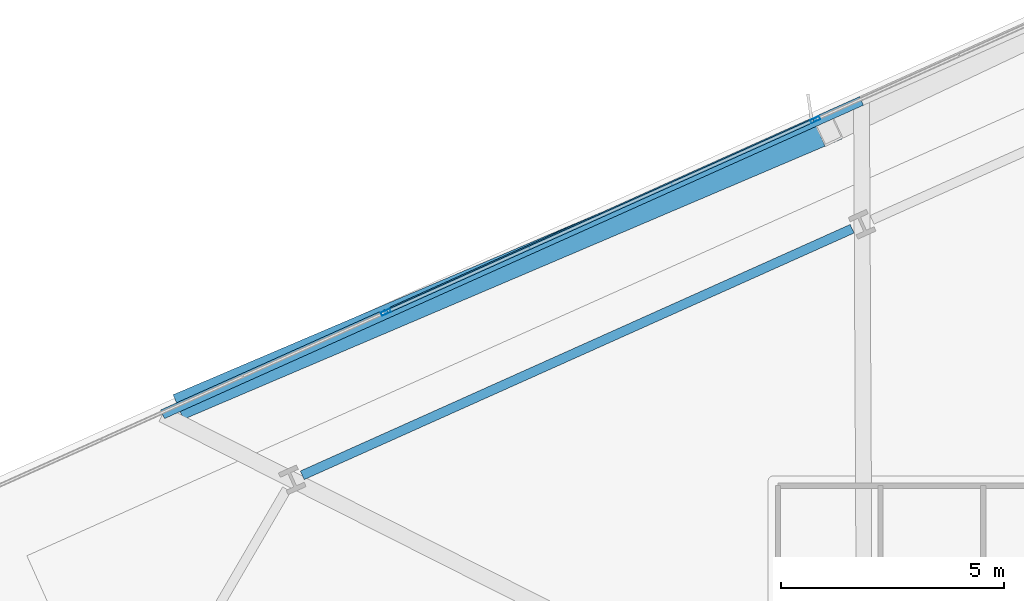
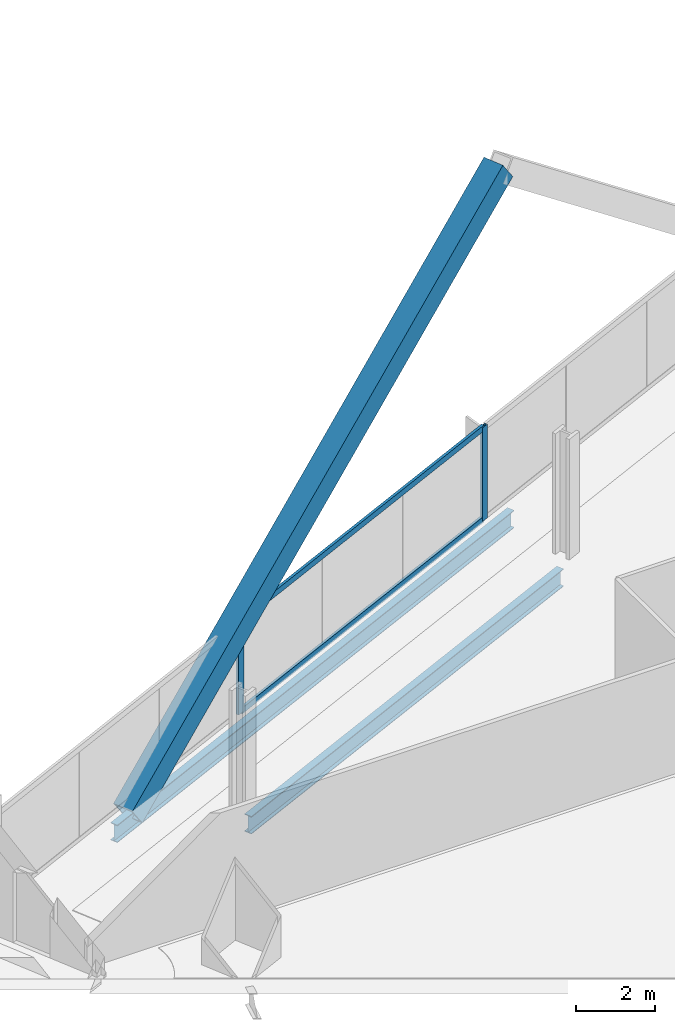
# One storey, part 18 of 38: 5 members, 2 beams, 1 element without a shape of its own.
"""IFC4 building model written with IfcOpenShell, lengths in metres."""

from ifc_helpers import new_model, si_unit, direction, frame, origin, origin_2d, place, context, subcontext, project, spatial, hollow_rectangle, i_section, extrude, material, material_profile, profile_set, type_object, element, aggregate, save


model = new_model("IFC4")

# Units and contexts
model_context = context("Model", 3, precision=1e-05, world=origin(), true_north=direction((0.0, 1.0)))
body_context = subcontext(model_context, "Body", "Model", "MODEL_VIEW")
ifc_project = project(units=[si_unit("LENGTHUNIT", "METRE"), si_unit("AREAUNIT", "SQUARE_METRE"), si_unit("VOLUMEUNIT", "CUBIC_METRE"), si_unit("PLANEANGLEUNIT", "RADIAN"), si_unit("MASSUNIT", "GRAM", prefix="KILO")], contexts=[model_context])

# Site, building, storey
site_placement = place(None, origin())
site = spatial("IfcSite", under=ifc_project, at=site_placement, CompositionType="ELEMENT")
building_placement = place(site_placement, origin())
building = spatial("IfcBuilding", under=site, at=building_placement, Name="Haldenkirk Collegiate Tower", CompositionType="ELEMENT")
storey_placement = place(building_placement, frame((0.0, 0.0, 109.199951171875)))
storey = spatial("IfcBuildingStorey", under=building, at=storey_placement, Name="L26", CompositionType="ELEMENT", Elevation=109.199951171875)

# Beams
ifc_material_1 = material(Name="Steel ASTM A992 Grade 50", Category="steel")
ifc_material_profile_1 = material_profile(ifc_material_1, i_section(OverallWidth=0.2119140625, OverallDepth=0.5439453125, WebThickness=0.01318359375, FlangeThickness=0.021240234375, at=origin_2d()), Name="W21X83")
ifc_profile_set_1 = profile_set([ifc_material_profile_1], Name="Steel ASTM A992 Grade 50")
beam_type = type_object("IfcBeamType", Name="BM-SPANDREL-W21X83", PredefinedType="SPANDREL", material=ifc_profile_set_1)
beam_1_placement = place(storey_placement, frame((26.7138671875, 46.111083984375, -0.572021484375), z_axis=(-0.912476765144, -0.409128528793, 0.0), x_axis=(0.409128528793, -0.912476765144, 0.0)))
element("IfcBeam", 1, at=beam_1_placement, inside=storey, type_object=beam_type, Name="L26 perimeter spandrel beam 11", PredefinedType="SPANDREL", context=body_context, shape_type="SweptSolid", body=[
    extrude(i_section(OverallWidth=0.2119140625, OverallDepth=0.5439453125, WebThickness=0.01318359375, FlangeThickness=0.021240234375, at=origin_2d()), origin(), (0.0, 0.0, 1.0), 13.512939453125),
])
beam_2_placement = place(storey_placement, frame((26.923583984375, 48.977783203125, -0.572021484375), z_axis=(-0.912477305698, -0.409127323196, 0.0), x_axis=(0.409127323196, -0.912477305698, 0.0)))
element("IfcBeam", 2, at=beam_2_placement, inside=storey, type_object=beam_type, Name="L26 outer facade edge beam 3B", PredefinedType="SPANDREL", context=body_context, shape_type="SweptSolid", body=[
    extrude(i_section(OverallWidth=0.2119140625, OverallDepth=0.5439453125, WebThickness=0.01318359375, FlangeThickness=0.021240234375, at=origin_2d()), origin(), (0.0, 0.0, 1.0), 17.176513671875),
])

# Curtain wall, members
ifc_material_2 = material(Name="Anodised architectural bronze aluminium", Category="aluminium")
curtain_wall_type = type_object("IfcCurtainWallType", Name="CW-SYS1-CONVEX-LOW", PredefinedType="USERDEFINED", material=ifc_material_2)
curtain_wall_placement = place(storey_placement, origin())
curtain_wall = element("IfcCurtainWall", 3, at=curtain_wall_placement, inside=storey, type_object=curtain_wall_type, Name="L26 Lower tower convex bronze-framed unitised curtain wall", ObjectType="UNITISED CURTAIN WALL", PredefinedType="USERDEFINED")
ifc_material_profile_2 = material_profile(ifc_material_2, hollow_rectangle(XDim=0.080078125, YDim=0.219970703125, WallThickness=0.0048828125, at=origin_2d()), Name="CW-MUL-1A")
ifc_profile_set_2 = profile_set([ifc_material_profile_2], Name="Anodised architectural bronze aluminium")
member_type_1 = type_object("IfcMemberType", Name="CW-MUL-1A", PredefinedType="MULLION", material=ifc_profile_set_2)
member_1_placement = place(storey_placement, frame((16.259765625, 44.240234375, 0.0), z_axis=(0.0, 0.0, 1.0), x_axis=(-0.409127344707, 0.912477296053, 0.0)))
member_1 = element("IfcMember", 4, at=member_1_placement, type_object=member_type_1, Name="CW-1A mullion 2", PredefinedType="MULLION", context=body_context, shape_type="SweptSolid", body=[
    extrude(hollow_rectangle(XDim=0.080078125, YDim=0.219970703125, WallThickness=0.0048828125, at=origin_2d()), origin(), (0.0, 0.0, 1.0), 2.901123046875),
])
member_2_placement = place(storey_placement, frame((25.88623046875, 48.556396484375, 0.0), z_axis=(0.0, 0.0, 1.0), x_axis=(-0.409127344707, 0.912477296053, 0.0)))
member_2 = element("IfcMember", 5, at=member_2_placement, type_object=member_type_1, Name="CW-1A mullion 3", PredefinedType="MULLION", context=body_context, shape_type="SweptSolid", body=[
    extrude(hollow_rectangle(XDim=0.080078125, YDim=0.219970703125, WallThickness=0.0048828125, at=origin_2d()), origin(), (0.0, 0.0, 1.0), 2.901123046875),
])
ifc_material_profile_3 = material_profile(ifc_material_2, hollow_rectangle(XDim=0.080078125, YDim=0.179931640625, WallThickness=0.0048828125, at=origin_2d()), Name="CW-TRN-1A")
ifc_profile_set_3 = profile_set([ifc_material_profile_3], Name="Anodised architectural bronze aluminium")
member_type_2 = type_object("IfcMemberType", Name="CW-TRN-1A", PredefinedType="USERDEFINED", material=ifc_profile_set_3)
member_3_placement = place(storey_placement, frame((16.296142578125, 44.256591796875, 0.0400390625), z_axis=(0.912482610684, 0.409115491272, 0.0), x_axis=(-0.409115491272, 0.912482610684, 0.0)))
member_3 = element("IfcMember", 6, at=member_3_placement, type_object=member_type_2, Name="CW-1A transom 2.1", ObjectType="TRANSOM", PredefinedType="USERDEFINED", context=body_context, shape_type="SweptSolid", body=[
    extrude(hollow_rectangle(XDim=0.080078125, YDim=0.179931640625, WallThickness=0.0048828125, at=origin_2d()), origin(), (0.0, 0.0, 1.0), 10.469970703125),
])
member_4_placement = place(storey_placement, frame((16.296142578125, 44.256591796875, 2.861083984375), z_axis=(0.912482610684, 0.409115491272, 0.0), x_axis=(-0.409115491272, 0.912482610684, 0.0)))
member_4 = element("IfcMember", 7, at=member_4_placement, type_object=member_type_2, Name="CW-1A transom 2.2", ObjectType="TRANSOM", PredefinedType="USERDEFINED", context=body_context, shape_type="SweptSolid", body=[
    extrude(hollow_rectangle(XDim=0.080078125, YDim=0.179931640625, WallThickness=0.0048828125, at=origin_2d()), origin(), (0.0, 0.0, 1.0), 10.469970703125),
])
aggregate(curtain_wall, [member_1, member_2, member_3, member_4])

# Member
ifc_material_3 = material(Name="Steel ASTM A572 Grade 50", Category="steel")
ifc_material_profile_4 = material_profile(ifc_material_3, hollow_rectangle(XDim=0.60009765625, YDim=0.719970703125, WallThickness=0.044921875, at=origin_2d()), Name="BOX720X600X45")
ifc_profile_set_4 = profile_set([ifc_material_profile_4], Name="Steel ASTM A572 Grade 50")
member_type_3 = type_object("IfcMemberType", Name="MBR-MEGABRACE-BOX720X600X45", PredefinedType="BRACE", material=ifc_profile_set_4)
member_5_placement = place(storey_placement, frame((11.798095703125, 42.19580078125, -0.31005859375), z_axis=(0.746786164347, 0.318032162666, 0.58409414331), x_axis=(-0.391816779206, 0.92004326612, 0.0)))
element("IfcMember", 8, at=member_5_placement, inside=storey, type_object=member_type_3, Name="Perimeter Mega Brace Z2 L26-L28 NR", PredefinedType="BRACE", context=body_context, shape_type="SweptSolid", body=[
    extrude(hollow_rectangle(XDim=0.60009765625, YDim=0.719970703125, WallThickness=0.044921875, at=origin_2d()), origin(), (0.0, 0.0, 1.0), 19.260498046875),
])

save(model, "model.ifc")
